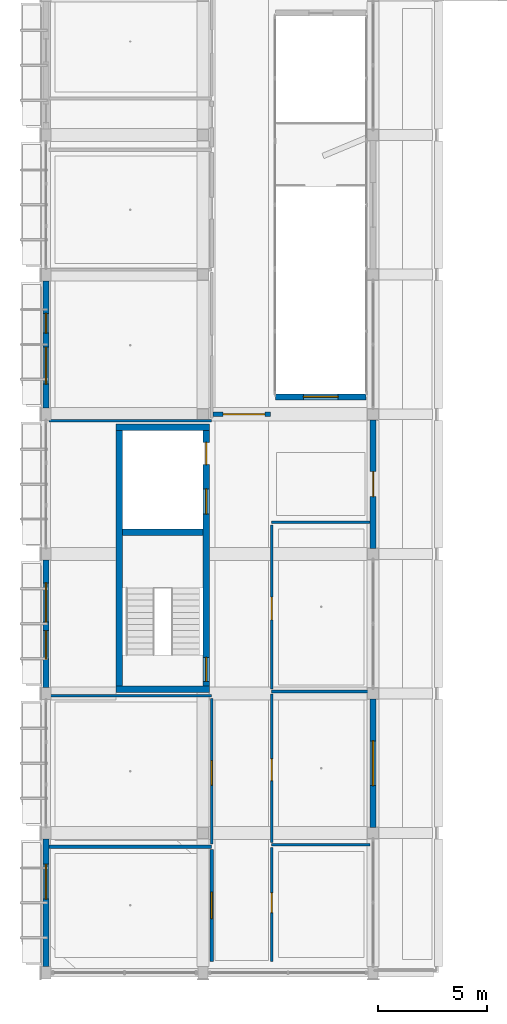
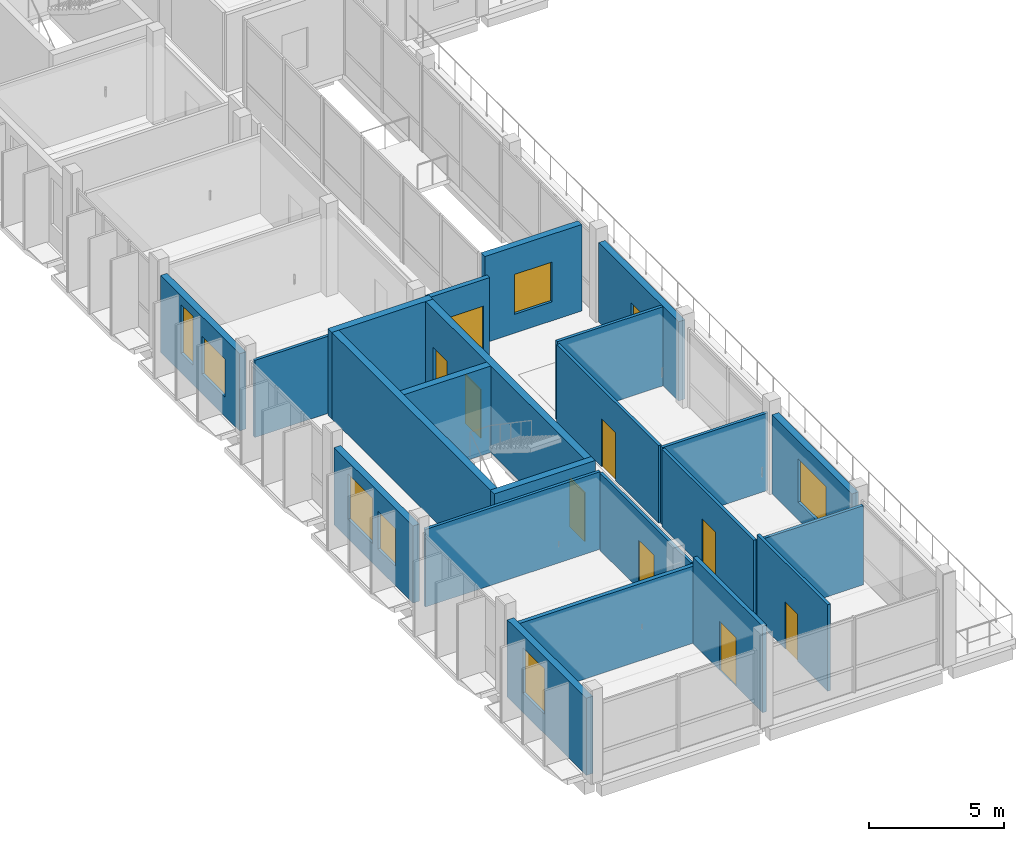
# One storey, part 47 of 85: 23 walls, 10 doors, 7 windows, 17 openings.
"""IFC4 building model written with IfcOpenShell, lengths in metres."""

from ifc_helpers import new_model, si_unit, derived_unit, direction, frame, frame_2d, origin, origin_with_axes, place, context, subcontext, project, spatial, rectangle, extrude, material, layer, layer_set, type_object, element, fill, save


model = new_model("IFC4")

# Units and contexts
model_context = context("Model", 3, precision=1e-05, world=origin(), true_north=direction((0.0, 1.0)))
body_context = subcontext(model_context, "Body", "Model", "MODEL_VIEW")
ifc_project = project(units=[si_unit("LENGTHUNIT", "METRE"), si_unit("AREAUNIT", "SQUARE_METRE"), si_unit("VOLUMEUNIT", "CUBIC_METRE"), si_unit("PLANEANGLEUNIT", "RADIAN"), si_unit("MASSUNIT", "GRAM", prefix="KILO"), derived_unit("THERMALTRANSMITTANCEUNIT", [(si_unit("POWERUNIT", "WATT"), 1), (si_unit("LENGTHUNIT", "METRE"), -2), (si_unit("THERMODYNAMICTEMPERATUREUNIT", "KELVIN"), -1)])], contexts=[model_context])

# Site, building, storey
site_placement = place(None, origin())
site = spatial("IfcSite", under=ifc_project, at=site_placement, CompositionType="ELEMENT")
building_placement = place(site_placement, origin())
building = spatial("IfcBuilding", under=site, at=building_placement, Name="Braskholm Square Health Centre", CompositionType="ELEMENT")
storey_placement = place(building_placement, frame((0.0, 0.0, 9.300048828125)))
storey = spatial("IfcBuildingStorey", under=building, at=storey_placement, Name="L03", CompositionType="ELEMENT", Elevation=9.300048828125)

# Wall, opening, door
ifc_material_1 = material(Name="Fire-rated gypsum board barrier")
ifc_layer_1 = layer(ifc_material_1, 0.175048828125)
ifc_layer_set_1 = layer_set([ifc_layer_1], Name="Fire-rated gypsum board barrier")
wall_type_1 = type_object("IfcWallType", Name="AmbulatoryFirePartition175", PredefinedType="PARTITIONING", material=ifc_layer_set_1)
wall_1_placement = place(storey_placement, frame((11.800048828125, 4.719970703125, 0.0), z_axis=(0.0, 0.0, 1.0), x_axis=(0.0, 1.0, 0.0)))
wall_1 = element("IfcWall", 1, at=wall_1_placement, inside=storey, type_object=wall_type_1, Name="Interior partition PWALL-L03-0111", PredefinedType="PARTITIONING", context=body_context, shape_type="SweptSolid", body=[
    extrude(rectangle(XDim=5.130126953125, YDim=0.175048828125, at=frame_2d((2.56494140625, 0.0))), origin(), (0.0, 0.0, 1.0), 3.89501953125),
])
opening_1_placement = place(wall_1_placement, frame((1.955078125, 0.0, 0.0)))
opening_1 = element("IfcOpeningElement", 2, at=opening_1_placement, cuts=wall_1, Name="Opening D-04", PredefinedType="OPENING", context=body_context, shape_type="SweptSolid", body=[
    extrude(rectangle(XDim=1.219970703125, YDim=2.199951171875, at=frame_2d((0.60986328125, 1.10009765625))), frame((0.0, 0.09765625, 0.0), z_axis=(0.0, -1.0, 0.0), x_axis=(1.0, 0.0, 0.0)), (0.0, 0.0, 1.0), 0.195068359375),
])
ifc_material_2 = material(Name="Architectural bronze anodised aluminium", Category="aluminium")
door_type_1 = type_object("IfcDoorType", Name="DoorBariatricExam1220x2200", OperationType="NOTDEFINED", PredefinedType="DOOR", material=ifc_material_2)
door_1_placement = place(opening_1_placement, origin_with_axes())
door_1 = element("IfcDoor", 3, at=door_1_placement, inside=storey, type_object=door_type_1, Name="Interior door 0051 L03", OperationType="SINGLE_SWING_RIGHT", OverallHeight=2.199951171875, OverallWidth=1.219970703125, PredefinedType="DOOR", context=body_context, shape_type="SweptSolid", body=[
    extrude(rectangle(XDim=1.219970703125, YDim=2.199951171875, at=frame_2d((0.60986328125, 1.10009765625))), frame((0.0, 0.02490234375, 0.0), z_axis=(0.0, -1.0, 0.0), x_axis=(1.0, 0.0, 0.0)), (0.0, 0.0, 1.0), 0.050048828125),
])
fill(opening_1, door_1)

# Wall
wall_2_placement = place(storey_placement, frame((4.340087890625, 9.969970703125, 0.0), z_axis=(0.0, 0.0, 1.0), x_axis=(1.0, 0.0, 0.0)))
element("IfcWall", 4, at=wall_2_placement, inside=storey, type_object=wall_type_1, Name="Interior partition PWALL-L03-0112", PredefinedType="PARTITIONING", context=body_context, shape_type="SweptSolid", body=[
    extrude(rectangle(XDim=7.4599609375, YDim=0.175048828125, at=frame_2d((3.72998046875, 0.0))), origin(), (0.0, 0.0, 1.0), 3.474853515625),
])

# Wall, opening, door
ifc_material_3 = material(Name="Acoustic gypsum board partition")
ifc_layer_2 = layer(ifc_material_3, 0.125)
ifc_layer_set_2 = layer_set([ifc_layer_2], Name="Acoustic gypsum board partition")
wall_type_2 = type_object("IfcWallType", Name="ClinicalExamPartition125", PredefinedType="PARTITIONING", material=ifc_layer_set_2)
wall_3_placement = place(storey_placement, frame((11.800048828125, 10.090087890625, 0.0), z_axis=(0.0, 0.0, 1.0), x_axis=(0.0, 1.0, 0.0)))
wall_3 = element("IfcWall", 5, at=wall_3_placement, inside=storey, type_object=wall_type_2, Name="Interior partition PWALL-L03-0113", PredefinedType="PARTITIONING", context=body_context, shape_type="SweptSolid", body=[
    extrude(rectangle(XDim=6.68994140625, YDim=0.125, at=frame_2d((3.344970703125, 0.0))), origin(), (0.0, 0.0, 1.0), 3.494873046875),
])
opening_2_placement = place(wall_3_placement, frame((2.7080078125, 0.0, 0.0)))
opening_2 = element("IfcOpeningElement", 6, at=opening_2_placement, cuts=wall_3, Name="Opening D-03", PredefinedType="OPENING", context=body_context, shape_type="SweptSolid", body=[
    extrude(rectangle(XDim=1.1201171875, YDim=2.199951171875, at=frame_2d((0.56005859375, 1.10009765625))), frame((0.0, 0.072509765625, 0.0), z_axis=(0.0, -1.0, 0.0), x_axis=(1.0, 0.0, 0.0)), (0.0, 0.0, 1.0), 0.14501953125),
])
door_type_2 = type_object("IfcDoorType", Name="DoorProcedure1120x2200", OperationType="NOTDEFINED", PredefinedType="DOOR", material=ifc_material_2)
door_2_placement = place(opening_2_placement, origin_with_axes())
door_2 = element("IfcDoor", 7, at=door_2_placement, inside=storey, type_object=door_type_2, Name="Interior door 0052 L03", OperationType="SINGLE_SWING_LEFT", OverallHeight=2.199951171875, OverallWidth=1.1201171875, PredefinedType="DOOR", context=body_context, shape_type="SweptSolid", body=[
    extrude(rectangle(XDim=1.1201171875, YDim=2.199951171875, at=frame_2d((0.56005859375, 1.10009765625))), frame((0.0, 0.02490234375, 0.0), z_axis=(0.0, -1.0, 0.0), x_axis=(1.0, 0.0, 0.0)), (0.0, 0.0, 1.0), 0.050048828125),
])
fill(opening_2, door_2)

# Walls
wall_4_placement = place(storey_placement, frame((4.340087890625, 16.89990234375, 0.0), z_axis=(0.0, 0.0, 1.0), x_axis=(1.0, 0.0, 0.0)))
element("IfcWall", 8, at=wall_4_placement, inside=storey, type_object=wall_type_2, Name="Interior partition PWALL-L03-0114", PredefinedType="PARTITIONING", context=body_context, shape_type="SweptSolid", body=[
    extrude(rectangle(XDim=7.4599609375, YDim=0.125, at=frame_2d((3.72998046875, 0.0))), origin(), (0.0, 0.0, 1.0), 3.494873046875),
])
wall_5_placement = place(storey_placement, frame((4.340087890625, 29.5, 0.0), z_axis=(0.0, 0.0, 1.0), x_axis=(1.0, 0.0, 0.0)))
element("IfcWall", 9, at=wall_5_placement, inside=storey, type_object=wall_type_2, Name="Interior partition PWALL-L03-0117", PredefinedType="PARTITIONING", context=body_context, shape_type="SweptSolid", body=[
    extrude(rectangle(XDim=7.4599609375, YDim=0.125, at=frame_2d((3.72998046875, 0.0))), origin(), (0.0, 0.0, 1.0), 3.474853515625),
])

# Wall, opening, door
wall_6_placement = place(storey_placement, frame((14.550048828125, 4.719970703125, 0.0), z_axis=(0.0, 0.0, 1.0), x_axis=(0.0, 1.0, 0.0)))
wall_6 = element("IfcWall", 10, at=wall_6_placement, inside=storey, type_object=wall_type_2, Name="Interior partition PWALL-L03-0142", PredefinedType="PARTITIONING", context=body_context, shape_type="SweptSolid", body=[
    extrude(rectangle(XDim=5.219970703125, YDim=0.125, at=frame_2d((2.60986328125, 0.0))), origin(), (0.0, 0.0, 1.0), 3.89501953125),
])
opening_3_placement = place(wall_6_placement, frame((2.236083984375, 0.0, 0.0)))
opening_3 = element("IfcOpeningElement", 11, at=opening_3_placement, cuts=wall_6, Name="Opening D-07", PredefinedType="OPENING", context=body_context, shape_type="SweptSolid", body=[
    extrude(rectangle(XDim=0.89990234375, YDim=2.1201171875, at=frame_2d((0.449951171875, 1.06005859375))), frame((0.0, 0.072509765625, 0.0), z_axis=(0.0, -1.0, 0.0), x_axis=(1.0, 0.0, 0.0)), (0.0, 0.0, 1.0), 0.14501953125),
])
door_type_3 = type_object("IfcDoorType", Name="DoorProviderOffice900x2120", OperationType="NOTDEFINED", PredefinedType="DOOR", material=ifc_material_2)
door_3_placement = place(opening_3_placement, frame((0.89990234375, 0.0, 0.0), z_axis=(0.0, 0.0, 1.0), x_axis=(-1.0, 0.0, 0.0)))
door_3 = element("IfcDoor", 12, at=door_3_placement, inside=storey, type_object=door_type_3, Name="Interior door 0066 L03", OperationType="SINGLE_SWING_LEFT", OverallHeight=2.1201171875, OverallWidth=0.89990234375, PredefinedType="DOOR", context=body_context, shape_type="SweptSolid", body=[
    extrude(rectangle(XDim=0.89990234375, YDim=2.1201171875, at=frame_2d((0.449951171875, 1.06005859375))), frame((0.0, 0.02490234375, 0.0), z_axis=(0.0, -1.0, 0.0), x_axis=(1.0, 0.0, 0.0)), (0.0, 0.0, 1.0), 0.050048828125),
])
fill(opening_3, door_3)

# Wall
wall_7_placement = place(storey_placement, frame((14.550048828125, 10.06005859375, 0.0), z_axis=(0.0, 0.0, 1.0), x_axis=(1.0, 0.0, 0.0)))
element("IfcWall", 13, at=wall_7_placement, inside=storey, type_object=wall_type_2, Name="Interior partition PWALL-L03-0143", PredefinedType="PARTITIONING", context=body_context, shape_type="SweptSolid", body=[
    extrude(rectangle(XDim=4.510009765625, YDim=0.125, at=frame_2d((2.2548828125, 0.0))), origin(), (0.0, 0.0, 1.0), 3.56494140625),
])

# Wall, opening, door
wall_8_placement = place(storey_placement, frame((14.550048828125, 10.179931640625, 0.0), z_axis=(0.0, 0.0, 1.0), x_axis=(0.0, 1.0, 0.0)))
wall_8 = element("IfcWall", 14, at=wall_8_placement, inside=storey, type_object=wall_type_2, Name="Interior partition PWALL-L03-0144", PredefinedType="PARTITIONING", context=body_context, shape_type="SweptSolid", body=[
    extrude(rectangle(XDim=6.7900390625, YDim=0.125, at=frame_2d((3.39501953125, 0.0))), origin(), (0.0, 0.0, 1.0), 3.494873046875),
])
opening_4_placement = place(wall_8_placement, frame((2.820068359375, 0.0, 0.0)))
opening_4 = element("IfcOpeningElement", 15, at=opening_4_placement, cuts=wall_8, Name="Opening D-02", PredefinedType="OPENING", context=body_context, shape_type="SweptSolid", body=[
    extrude(rectangle(XDim=1.0, YDim=2.14990234375, at=frame_2d((0.5, 1.074951171875))), frame((0.0, 0.072509765625, 0.0), z_axis=(0.0, -1.0, 0.0), x_axis=(1.0, 0.0, 0.0)), (0.0, 0.0, 1.0), 0.14501953125),
])
door_type_4 = type_object("IfcDoorType", Name="DoorExamSingle1000x2150", OperationType="NOTDEFINED", PredefinedType="DOOR", material=ifc_material_2)
door_4_placement = place(opening_4_placement, frame((1.0, 0.0, 0.0), z_axis=(0.0, 0.0, 1.0), x_axis=(-1.0, 0.0, 0.0)))
door_4 = element("IfcDoor", 16, at=door_4_placement, inside=storey, type_object=door_type_4, Name="Interior door 0067 L03", OperationType="SINGLE_SWING_RIGHT", OverallHeight=2.14990234375, OverallWidth=1.0, PredefinedType="DOOR", context=body_context, shape_type="SweptSolid", body=[
    extrude(rectangle(XDim=1.0, YDim=2.14990234375, at=frame_2d((0.5, 1.074951171875))), frame((0.0, 0.02490234375, 0.0), z_axis=(0.0, -1.0, 0.0), x_axis=(1.0, 0.0, 0.0)), (0.0, 0.0, 1.0), 0.050048828125),
])
fill(opening_4, door_4)

# Wall
wall_9_placement = place(storey_placement, frame((14.550048828125, 17.090087890625, 0.0), z_axis=(0.0, 0.0, 1.0), x_axis=(1.0, 0.0, 0.0)))
element("IfcWall", 17, at=wall_9_placement, inside=storey, type_object=wall_type_2, Name="Interior partition PWALL-L03-0145", PredefinedType="PARTITIONING", context=body_context, shape_type="SweptSolid", body=[
    extrude(rectangle(XDim=4.510009765625, YDim=0.125, at=frame_2d((2.2548828125, 0.0))), origin(), (0.0, 0.0, 1.0), 3.494873046875),
])

# Wall, opening, door
wall_10_placement = place(storey_placement, frame((14.550048828125, 17.2099609375, 0.0), z_axis=(0.0, 0.0, 1.0), x_axis=(0.0, 1.0, 0.0)))
wall_10 = element("IfcWall", 18, at=wall_10_placement, inside=storey, type_object=wall_type_2, Name="Interior partition PWALL-L03-0146", PredefinedType="PARTITIONING", context=body_context, shape_type="SweptSolid", body=[
    extrude(rectangle(XDim=7.52001953125, YDim=0.125, at=frame_2d((3.760009765625, 0.0))), origin(), (0.0, 0.0, 1.0), 3.494873046875),
])
opening_5_placement = place(wall_10_placement, frame((3.1640625, 0.0, 0.0)))
opening_5 = element("IfcOpeningElement", 19, at=opening_5_placement, cuts=wall_10, Name="Opening D-09", PredefinedType="OPENING", context=body_context, shape_type="SweptSolid", body=[
    extrude(rectangle(XDim=1.0400390625, YDim=2.14990234375, at=frame_2d((0.52001953125, 1.074951171875))), frame((0.0, 0.072509765625, 0.0), z_axis=(0.0, -1.0, 0.0), x_axis=(1.0, 0.0, 0.0)), (0.0, 0.0, 1.0), 0.14501953125),
])
door_type_5 = type_object("IfcDoorType", Name="DoorDentalOperatory1040x2150", OperationType="NOTDEFINED", PredefinedType="DOOR", material=ifc_material_2)
door_5_placement = place(opening_5_placement, frame((1.0400390625, 0.0, 0.0), z_axis=(0.0, 0.0, 1.0), x_axis=(-1.0, 0.0, 0.0)))
door_5 = element("IfcDoor", 20, at=door_5_placement, inside=storey, type_object=door_type_5, Name="Interior door 0068 L03", OperationType="SINGLE_SWING_LEFT", OverallHeight=2.14990234375, OverallWidth=1.0400390625, PredefinedType="DOOR", context=body_context, shape_type="SweptSolid", body=[
    extrude(rectangle(XDim=1.0400390625, YDim=2.14990234375, at=frame_2d((0.52001953125, 1.074951171875))), frame((0.0, 0.02490234375, 0.0), z_axis=(0.0, -1.0, 0.0), x_axis=(1.0, 0.0, 0.0)), (0.0, 0.0, 1.0), 0.050048828125),
])
fill(opening_5, door_5)

# Wall
wall_11_placement = place(storey_placement, frame((14.550048828125, 24.85009765625, 0.0), z_axis=(0.0, 0.0, 1.0), x_axis=(1.0, 0.0, 0.0)))
element("IfcWall", 21, at=wall_11_placement, inside=storey, type_object=wall_type_2, Name="Interior partition PWALL-L03-0147", PredefinedType="PARTITIONING", context=body_context, shape_type="SweptSolid", body=[
    extrude(rectangle(XDim=4.510009765625, YDim=0.125, at=frame_2d((2.2548828125, 0.0))), origin(), (0.0, 0.0, 1.0), 3.56494140625),
])

# Wall, opening, window
ifc_material_4 = material(Name="Precast concrete C40/50 architectural white", Category="concrete")
ifc_layer_3 = layer(ifc_material_4, 0.280029296875)
ifc_layer_set_3 = layer_set([ifc_layer_3], Name="Precast concrete C40/50 architectural white")
wall_type_3 = type_object("IfcWallType", Name="ExteriorPrecastSpandrelWall280", PredefinedType="SOLIDWALL", material=ifc_layer_set_3)
wall_12_placement = place(storey_placement, frame((4.199951171875, 10.318115234375, 0.0), z_axis=(0.0, 0.0, 1.0), x_axis=(0.0, -1.0, 0.0)))
wall_12 = element("IfcWall", 22, at=wall_12_placement, inside=storey, type_object=wall_type_3, Name="Exterior wall EWALL-L03-0020", PredefinedType="SOLIDWALL", context=body_context, shape_type="SweptSolid", body=[
    extrude(rectangle(XDim=5.836181640625, YDim=0.280029296875, at=frame_2d((2.91796875, 0.0))), origin(), (0.0, 0.0, 1.0), 3.47998046875),
])
opening_6_placement = place(wall_12_placement, frame((1.14501953125, 0.0, 0.8798828125)))
opening_6 = element("IfcOpeningElement", 23, at=opening_6_placement, cuts=wall_12, Name="Opening WN-15", PredefinedType="OPENING", context=body_context, shape_type="SweptSolid", body=[
    extrude(rectangle(XDim=1.60009765625, YDim=2.050048828125, at=frame_2d((0.800048828125, 1.02490234375))), frame((0.0, 0.14990234375, 0.0), z_axis=(0.0, -1.0, 0.0), x_axis=(1.0, 0.0, 0.0)), (0.0, 0.0, 1.0), 0.300048828125),
])
ifc_material_5 = material(Name="Low-E triple insulating glass (VLT 0.64)", Category="glass")
window_type_1 = type_object("IfcWindowType", Name="WinClinicalTall1600x2050", PartitioningType="SINGLE_PANEL", PredefinedType="WINDOW", material=ifc_material_5)
window_1_placement = place(opening_6_placement, origin_with_axes())
window_1 = element("IfcWindow", 24, at=window_1_placement, inside=storey, type_object=window_type_1, Name="Exterior window 0036 L03", OverallHeight=2.050048828125, OverallWidth=1.60009765625, PartitioningType="SINGLE_PANEL", PredefinedType="WINDOW", context=body_context, shape_type="SweptSolid", body=[
    extrude(rectangle(XDim=1.60009765625, YDim=2.050048828125, at=frame_2d((0.800048828125, 1.02490234375))), frame((0.0, 0.030029296875, 0.0), z_axis=(0.0, -1.0, 0.0), x_axis=(1.0, 0.0, 0.0)), (0.0, 0.0, 1.0), 0.06005859375),
])
fill(opening_6, window_1)

# Wall, openings, windows
wall_13_placement = place(storey_placement, frame((4.199951171875, 23.117919921875, 0.0), z_axis=(0.0, 0.0, 1.0), x_axis=(0.0, -1.0, 0.0)))
wall_13 = element("IfcWall", 25, at=wall_13_placement, inside=storey, type_object=wall_type_3, Name="Exterior wall EWALL-L03-0021", PredefinedType="SOLIDWALL", context=body_context, shape_type="SweptSolid", body=[
    extrude(rectangle(XDim=5.8359375, YDim=0.280029296875, at=frame_2d((2.91796875, 0.0))), origin(), (0.0, 0.0, 1.0), 3.47998046875),
])
opening_7_placement = place(wall_13_placement, frame((1.044921875, 0.0, 0.8798828125)))
opening_7 = element("IfcOpeningElement", 26, at=opening_7_placement, cuts=wall_13, Name="Opening WN-16", PredefinedType="OPENING", context=body_context, shape_type="SweptSolid", body=[
    extrude(rectangle(XDim=1.800048828125, YDim=2.050048828125, at=frame_2d((0.89990234375, 1.02490234375))), frame((0.0, 0.14990234375, 0.0), z_axis=(0.0, -1.0, 0.0), x_axis=(1.0, 0.0, 0.0)), (0.0, 0.0, 1.0), 0.300048828125),
])
opening_8_placement = place(wall_13_placement, frame((3.240966796875, 0.0, 0.8798828125)))
opening_8 = element("IfcOpeningElement", 27, at=opening_8_placement, cuts=wall_13, Name="Opening WN-17", PredefinedType="OPENING", context=body_context, shape_type="SweptSolid", body=[
    extrude(rectangle(XDim=1.300048828125, YDim=1.699951171875, at=frame_2d((0.64990234375, 0.85009765625))), frame((0.0, 0.14990234375, 0.0), z_axis=(0.0, -1.0, 0.0), x_axis=(1.0, 0.0, 0.0)), (0.0, 0.0, 1.0), 0.300048828125),
])
window_type_2 = type_object("IfcWindowType", Name="WinClinicalTall1800x2050", PartitioningType="SINGLE_PANEL", PredefinedType="WINDOW", material=ifc_material_5)
window_2_placement = place(opening_7_placement, origin_with_axes())
window_2 = element("IfcWindow", 28, at=window_2_placement, inside=storey, type_object=window_type_2, Name="Exterior window 0037 L03", OverallHeight=2.050048828125, OverallWidth=1.800048828125, PartitioningType="SINGLE_PANEL", PredefinedType="WINDOW", context=body_context, shape_type="SweptSolid", body=[
    extrude(rectangle(XDim=1.800048828125, YDim=2.050048828125, at=frame_2d((0.89990234375, 1.02490234375))), frame((0.0, 0.030029296875, 0.0), z_axis=(0.0, -1.0, 0.0), x_axis=(1.0, 0.0, 0.0)), (0.0, 0.0, 1.0), 0.06005859375),
])
fill(opening_7, window_2)
window_type_3 = type_object("IfcWindowType", Name="WinDentalDaylight1300x1700", PartitioningType="SINGLE_PANEL", PredefinedType="WINDOW", material=ifc_material_5)
window_3_placement = place(opening_8_placement, origin_with_axes())
window_3 = element("IfcWindow", 29, at=window_3_placement, inside=storey, type_object=window_type_3, Name="Exterior window 0038 L03", OverallHeight=1.699951171875, OverallWidth=1.300048828125, PartitioningType="SINGLE_PANEL", PredefinedType="WINDOW", context=body_context, shape_type="SweptSolid", body=[
    extrude(rectangle(XDim=1.300048828125, YDim=1.699951171875, at=frame_2d((0.64990234375, 0.85009765625))), frame((0.0, 0.030029296875, 0.0), z_axis=(0.0, -1.0, 0.0), x_axis=(1.0, 0.0, 0.0)), (0.0, 0.0, 1.0), 0.06005859375),
])
fill(opening_8, window_3)

wall_14_placement = place(storey_placement, frame((4.199951171875, 35.91796875, 0.0), z_axis=(0.0, 0.0, 1.0), x_axis=(0.0, -1.0, 0.0)))
wall_14 = element("IfcWall", 30, at=wall_14_placement, inside=storey, type_object=wall_type_3, Name="Exterior wall EWALL-L03-0022", PredefinedType="SOLIDWALL", context=body_context, shape_type="SweptSolid", body=[
    extrude(rectangle(XDim=5.8359375, YDim=0.280029296875, at=frame_2d((2.91796875, 0.0))), origin(), (0.0, 0.0, 1.0), 3.47998046875),
])
opening_9_placement = place(wall_14_placement, frame((1.4951171875, 0.0, 0.8798828125)))
opening_9 = element("IfcOpeningElement", 31, at=opening_9_placement, cuts=wall_14, Name="Opening WN-01", PredefinedType="OPENING", context=body_context, shape_type="SweptSolid", body=[
    extrude(rectangle(XDim=0.89990234375, YDim=2.199951171875, at=frame_2d((0.449951171875, 1.10009765625))), frame((0.0, 0.14990234375, 0.0), z_axis=(0.0, -1.0, 0.0), x_axis=(1.0, 0.0, 0.0)), (0.0, 0.0, 1.0), 0.300048828125),
])
opening_10_placement = place(wall_14_placement, frame((3.041015625, 0.0, 0.8798828125)))
opening_10 = element("IfcOpeningElement", 32, at=opening_10_placement, cuts=wall_14, Name="Opening WN-18", PredefinedType="OPENING", context=body_context, shape_type="SweptSolid", body=[
    extrude(rectangle(XDim=1.699951171875, YDim=1.699951171875, at=frame_2d((0.85009765625, 0.85009765625))), frame((0.0, 0.14990234375, 0.0), z_axis=(0.0, -1.0, 0.0), x_axis=(1.0, 0.0, 0.0)), (0.0, 0.0, 1.0), 0.300048828125),
])
window_type_4 = type_object("IfcWindowType", Name="WinArtDecoLancet900x2200", PartitioningType="SINGLE_PANEL", PredefinedType="WINDOW", material=ifc_material_5)
window_4_placement = place(opening_9_placement, origin_with_axes())
window_4 = element("IfcWindow", 33, at=window_4_placement, inside=storey, type_object=window_type_4, Name="Exterior window 0039 L03", OverallHeight=2.199951171875, OverallWidth=0.89990234375, PartitioningType="SINGLE_PANEL", PredefinedType="WINDOW", context=body_context, shape_type="SweptSolid", body=[
    extrude(rectangle(XDim=0.89990234375, YDim=2.199951171875, at=frame_2d((0.449951171875, 1.10009765625))), frame((0.0, 0.030029296875, 0.0), z_axis=(0.0, -1.0, 0.0), x_axis=(1.0, 0.0, 0.0)), (0.0, 0.0, 1.0), 0.06005859375),
])
fill(opening_9, window_4)
window_type_5 = type_object("IfcWindowType", Name="WinDentalDaylight1700x1700", PartitioningType="SINGLE_PANEL", PredefinedType="WINDOW", material=ifc_material_5)
window_5_placement = place(opening_10_placement, origin_with_axes())
window_5 = element("IfcWindow", 34, at=window_5_placement, inside=storey, type_object=window_type_5, Name="Exterior window 0040 L03", OverallHeight=1.699951171875, OverallWidth=1.699951171875, PartitioningType="SINGLE_PANEL", PredefinedType="WINDOW", context=body_context, shape_type="SweptSolid", body=[
    extrude(rectangle(XDim=1.699951171875, YDim=1.699951171875, at=frame_2d((0.85009765625, 0.85009765625))), frame((0.0, 0.030029296875, 0.0), z_axis=(0.0, -1.0, 0.0), x_axis=(1.0, 0.0, 0.0)), (0.0, 0.0, 1.0), 0.06005859375),
])
fill(opening_10, window_5)

# Wall, opening, window
wall_15_placement = place(storey_placement, frame((19.199951171875, 10.85205078125, 0.0), z_axis=(0.0, 0.0, 1.0), x_axis=(0.0, 1.0, 0.0)))
wall_15 = element("IfcWall", 35, at=wall_15_placement, inside=storey, type_object=wall_type_3, Name="Exterior wall EWALL-L03-0119", PredefinedType="SOLIDWALL", context=body_context, shape_type="SweptSolid", body=[
    extrude(rectangle(XDim=5.89599609375, YDim=0.280029296875, at=frame_2d((2.947998046875, 0.0))), origin(), (0.0, 0.0, 1.0), 3.570068359375),
])
opening_11_placement = place(wall_15_placement, frame((1.923095703125, 0.0, 0.800048828125)))
opening_11 = element("IfcOpeningElement", 36, at=opening_11_placement, cuts=wall_15, Name="Opening WN-25", PredefinedType="OPENING", context=body_context, shape_type="SweptSolid", body=[
    extrude(rectangle(XDim=2.050048828125, YDim=1.949951171875, at=frame_2d((1.02490234375, 0.97509765625))), frame((0.0, 0.14990234375, 0.0), z_axis=(0.0, -1.0, 0.0), x_axis=(1.0, 0.0, 0.0)), (0.0, 0.0, 1.0), 0.300048828125),
])
window_type_6 = type_object("IfcWindowType", Name="WinValleyTerrace2050x1950", PartitioningType="SINGLE_PANEL", PredefinedType="WINDOW", material=ifc_material_5)
window_6_placement = place(opening_11_placement, origin_with_axes())
window_6 = element("IfcWindow", 37, at=window_6_placement, inside=storey, type_object=window_type_6, Name="Exterior window 0186 L03", OverallHeight=1.949951171875, OverallWidth=2.050048828125, PartitioningType="SINGLE_PANEL", PredefinedType="WINDOW", context=body_context, shape_type="SweptSolid", body=[
    extrude(rectangle(XDim=2.050048828125, YDim=1.949951171875, at=frame_2d((1.02490234375, 0.97509765625))), frame((0.0, 0.030029296875, 0.0), z_axis=(0.0, -1.0, 0.0), x_axis=(1.0, 0.0, 0.0)), (0.0, 0.0, 1.0), 0.06005859375),
])
fill(opening_11, window_6)

# Wall, opening, door
wall_16_placement = place(storey_placement, frame((19.199951171875, 23.652099609375, 0.0), z_axis=(0.0, 0.0, 1.0), x_axis=(0.0, 1.0, 0.0)))
wall_16 = element("IfcWall", 38, at=wall_16_placement, inside=storey, type_object=wall_type_3, Name="Exterior wall EWALL-L03-0120", PredefinedType="SOLIDWALL", context=body_context, shape_type="SweptSolid", body=[
    extrude(rectangle(XDim=5.89599609375, YDim=0.280029296875, at=frame_2d((2.947998046875, 0.0))), origin(), (0.0, 0.0, 1.0), 3.570068359375),
])
opening_12_placement = place(wall_16_placement, frame((2.3779296875, 0.0, 0.0)))
opening_12 = element("IfcOpeningElement", 39, at=opening_12_placement, cuts=wall_16, Name="Opening D-T1", PredefinedType="OPENING", context=body_context, shape_type="SweptSolid", body=[
    extrude(rectangle(XDim=1.139892578125, YDim=2.300048828125, at=frame_2d((0.56982421875, 1.14990234375))), frame((0.0, 0.14990234375, 0.0), z_axis=(0.0, -1.0, 0.0), x_axis=(1.0, 0.0, 0.0)), (0.0, 0.0, 1.0), 0.300048828125),
])
door_type_6 = type_object("IfcDoorType", Name="DoorPlantedTerrace1140x2300", OperationType="NOTDEFINED", PredefinedType="DOOR", material=ifc_material_5)
door_6_placement = place(opening_12_placement, frame((1.139892578125, 0.0, 0.0), z_axis=(0.0, 0.0, 1.0), x_axis=(-1.0, 0.0, 0.0)))
door_6 = element("IfcDoor", 40, at=door_6_placement, inside=storey, type_object=door_type_6, Name="Exterior door 0014 L03", OperationType="SINGLE_SWING_LEFT", OverallHeight=2.300048828125, OverallWidth=1.139892578125, PredefinedType="DOOR", context=body_context, shape_type="SweptSolid", body=[
    extrude(rectangle(XDim=1.139892578125, YDim=2.300048828125, at=frame_2d((0.56982421875, 1.14990234375))), frame((0.0, 0.02490234375, 0.0), z_axis=(0.0, -1.0, 0.0), x_axis=(1.0, 0.0, 0.0)), (0.0, 0.0, 1.0), 0.050048828125),
])
fill(opening_12, door_6)

# Wall, opening, window
wall_17_placement = place(storey_placement, frame((18.865966796875, 30.60009765625, 0.0), z_axis=(0.0, 0.0, 1.0), x_axis=(-1.0, 0.0, 0.0)))
wall_17 = element("IfcWall", 41, at=wall_17_placement, inside=storey, type_object=wall_type_3, Name="Exterior wall EWALL-L03-0287", PredefinedType="SOLIDWALL", context=body_context, shape_type="SweptSolid", body=[
    extrude(rectangle(XDim=4.132080078125, YDim=0.280029296875, at=frame_2d((2.06591796875, 0.0))), origin(), (0.0, 0.0, 1.0), 3.89990234375),
])
opening_13_placement = place(wall_17_placement, frame((1.26611328125, 0.0, 0.85009765625)))
opening_13 = element("IfcOpeningElement", 42, at=opening_13_placement, cuts=wall_17, Name="Opening WN-27", PredefinedType="OPENING", context=body_context, shape_type="SweptSolid", body=[
    extrude(rectangle(XDim=1.60009765625, YDim=1.800048828125, at=frame_2d((0.800048828125, 0.89990234375))), frame((0.0, 0.14990234375, 0.0), z_axis=(0.0, -1.0, 0.0), x_axis=(1.0, 0.0, 0.0)), (0.0, 0.0, 1.0), 0.300048828125),
])
window_type_7 = type_object("IfcWindowType", Name="WinLightCourt1600x1800", PartitioningType="SINGLE_PANEL", PredefinedType="WINDOW", material=ifc_material_5)
window_7_placement = place(opening_13_placement, origin_with_axes())
window_7 = element("IfcWindow", 43, at=window_7_placement, inside=storey, type_object=window_type_7, Name="Exterior window 0333 L03", OverallHeight=1.800048828125, OverallWidth=1.60009765625, PartitioningType="SINGLE_PANEL", PredefinedType="WINDOW", context=body_context, shape_type="SweptSolid", body=[
    extrude(rectangle(XDim=1.60009765625, YDim=1.800048828125, at=frame_2d((0.800048828125, 0.89990234375))), frame((0.0, 0.030029296875, 0.0), z_axis=(0.0, -1.0, 0.0), x_axis=(1.0, 0.0, 0.0)), (0.0, 0.0, 1.0), 0.06005859375),
])
fill(opening_13, window_7)

# Walls
ifc_material_6 = material(Name="Concrete C40/50 (f'c = 40 MPa)", Category="concrete")
ifc_layer_4 = layer(ifc_material_6, 0.300048828125)
ifc_layer_set_4 = layer_set([ifc_layer_4], Name="Concrete C40/50 (f'c = 40 MPa)")
wall_type_4 = type_object("IfcWallType", Name="ShearCoreWall300", PredefinedType="SHEAR", material=ifc_layer_set_4)
for number, where, z_axis, x_axis, name in (
    (44, (7.39990234375, 17.199951171875, 0.0), (0.0, 0.0, 1.0), (1.0, 0.0, 0.0), "CWALL-K1-L03 south wall"),
    (45, (11.699951171875, 29.199951171875, 0.0), (0.0, 0.0, 1.0), (-1.0, 0.0, 0.0), "CWALL-K1-L03 north wall"),
):
    element("IfcWall", number, at=place(storey_placement, frame(where, z_axis=z_axis, x_axis=x_axis)), inside=storey, type_object=wall_type_4, Name=name, PredefinedType="SHEAR", context=body_context, shape_type="SweptSolid", body=[
        extrude(rectangle(XDim=4.300048828125, YDim=0.300048828125, at=frame_2d((2.14990234375, 0.0))), origin(), (0.0, 0.0, 1.0), 3.89990234375),
    ])
wall_18_placement = place(storey_placement, frame((7.550048828125, 29.050048828125, 0.0), z_axis=(0.0, 0.0, 1.0), x_axis=(0.0, -1.0, 0.0)))
element("IfcWall", 46, at=wall_18_placement, inside=storey, type_object=wall_type_4, Name="CWALL-K1-L03 west wall", PredefinedType="SHEAR", context=body_context, shape_type="SweptSolid", body=[
    extrude(rectangle(XDim=11.699951171875, YDim=0.300048828125, at=frame_2d((5.85009765625, 0.0))), origin(), (0.0, 0.0, 1.0), 3.89990234375),
])

# Wall, openings, doors
wall_19_placement = place(storey_placement, frame((11.550048828125, 17.35009765625, 0.0), z_axis=(0.0, 0.0, 1.0), x_axis=(0.0, 1.0, 0.0)))
wall_19 = element("IfcWall", 47, at=wall_19_placement, inside=storey, type_object=wall_type_4, Name="CWALL-K1-L03 east wall", PredefinedType="SHEAR", context=body_context, shape_type="SweptSolid", body=[
    extrude(rectangle(XDim=11.699951171875, YDim=0.300048828125, at=frame_2d((5.85009765625, 0.0))), origin(), (0.0, 0.0, 1.0), 3.89990234375),
])
opening_14_placement = place(wall_19_placement, frame((0.199951171875, 0.0, 0.0)))
opening_14 = element("IfcOpeningElement", 48, at=opening_14_placement, cuts=wall_19, Name="Opening D-22", PredefinedType="OPENING", context=body_context, shape_type="SweptSolid", body=[
    extrude(rectangle(XDim=1.10009765625, YDim=2.199951171875, at=frame_2d((0.550048828125, 1.10009765625))), frame((0.0, 0.16015625, 0.0), z_axis=(0.0, -1.0, 0.0), x_axis=(1.0, 0.0, 0.0)), (0.0, 0.0, 1.0), 0.320068359375),
])
opening_15_placement = place(wall_19_placement, frame((7.875, 0.0, 0.0)))
opening_15 = element("IfcOpeningElement", 49, at=opening_15_placement, cuts=wall_19, Name="Opening LD-1", PredefinedType="OPENING", context=body_context, shape_type="SweptSolid", body=[
    extrude(rectangle(XDim=1.14990234375, YDim=2.199951171875, at=frame_2d((0.574951171875, 1.10009765625))), frame((0.0, 0.16015625, 0.0), z_axis=(0.0, -1.0, 0.0), x_axis=(1.0, 0.0, 0.0)), (0.0, 0.0, 1.0), 0.320068359375),
])
opening_16_placement = place(wall_19_placement, frame((10.139892578125, 0.0, 0.0)))
opening_16 = element("IfcOpeningElement", 50, at=opening_16_placement, cuts=wall_19, Name="Opening LD-2", PredefinedType="OPENING", context=body_context, shape_type="SweptSolid", body=[
    extrude(rectangle(XDim=1.02001953125, YDim=2.14990234375, at=frame_2d((0.510009765625, 1.074951171875))), frame((0.0, 0.16015625, 0.0), z_axis=(0.0, -1.0, 0.0), x_axis=(1.0, 0.0, 0.0)), (0.0, 0.0, 1.0), 0.320068359375),
])
door_type_7 = type_object("IfcDoorType", Name="DoorLiftLandingPassenger1020x2150", OperationType="SLIDING_TO_LEFT", PredefinedType="DOOR", material=ifc_material_2)
door_7_placement = place(opening_16_placement, origin_with_axes())
door_7 = element("IfcDoor", 51, at=door_7_placement, inside=storey, type_object=door_type_7, Name="Elevator EL-03 sliding landing door L03", OperationType="SLIDING_TO_LEFT", OverallHeight=2.14990234375, OverallWidth=1.02001953125, PredefinedType="DOOR", context=body_context, shape_type="SweptSolid", body=[
    extrude(rectangle(XDim=1.02001953125, YDim=2.14990234375, at=frame_2d((0.510009765625, 1.074951171875))), frame((0.0, 0.02490234375, 0.0), z_axis=(0.0, -1.0, 0.0), x_axis=(1.0, 0.0, 0.0)), (0.0, 0.0, 1.0), 0.050048828125),
])
fill(opening_16, door_7)
door_type_8 = type_object("IfcDoorType", Name="DoorLiftLandingStretcher1150x2200", OperationType="SLIDING_TO_LEFT", PredefinedType="DOOR", material=ifc_material_2)
door_8_placement = place(opening_15_placement, origin_with_axes())
door_8 = element("IfcDoor", 52, at=door_8_placement, inside=storey, type_object=door_type_8, Name="Elevator EL-01 sliding landing door L03", OperationType="SLIDING_TO_LEFT", OverallHeight=2.199951171875, OverallWidth=1.14990234375, PredefinedType="DOOR", context=body_context, shape_type="SweptSolid", body=[
    extrude(rectangle(XDim=1.14990234375, YDim=2.199951171875, at=frame_2d((0.574951171875, 1.10009765625))), frame((0.0, 0.02490234375, 0.0), z_axis=(0.0, -1.0, 0.0), x_axis=(1.0, 0.0, 0.0)), (0.0, 0.0, 1.0), 0.050048828125),
])
fill(opening_15, door_8)
door_type_9 = type_object("IfcDoorType", Name="DoorStairEnclosure1100x2200", OperationType="NOTDEFINED", PredefinedType="DOOR", material=ifc_material_2)
door_9_placement = place(opening_14_placement, origin_with_axes())
door_9 = element("IfcDoor", 53, at=door_9_placement, inside=storey, type_object=door_type_9, Name="Stair ST-01 door L03", OperationType="SINGLE_SWING_LEFT", OverallHeight=2.199951171875, OverallWidth=1.10009765625, PredefinedType="DOOR", context=body_context, shape_type="SweptSolid", body=[
    extrude(rectangle(XDim=1.10009765625, YDim=2.199951171875, at=frame_2d((0.550048828125, 1.10009765625))), frame((0.0, 0.02490234375, 0.0), z_axis=(0.0, -1.0, 0.0), x_axis=(1.0, 0.0, 0.0)), (0.0, 0.0, 1.0), 0.050048828125),
])
fill(opening_14, door_9)

# Wall
wall_20_placement = place(storey_placement, frame((7.699951171875, 24.39990234375, 0.0), z_axis=(0.0, 0.0, 1.0), x_axis=(1.0, 0.0, 0.0)))
element("IfcWall", 54, at=wall_20_placement, inside=storey, type_object=wall_type_4, Name="Core K1 internal shear divider L03", PredefinedType="SHEAR", context=body_context, shape_type="SweptSolid", body=[
    extrude(rectangle(XDim=3.699951171875, YDim=0.300048828125, at=frame_2d((1.85009765625, 0.0))), origin(), (0.0, 0.0, 1.0), 3.89990234375),
])

# Wall, opening, door
ifc_layer_5 = layer(ifc_material_1, 0.199951171875)
ifc_layer_set_5 = layer_set([ifc_layer_5], Name="Fire-rated gypsum board barrier")
wall_type_5 = type_object("IfcWallType", Name="SmokeBarrierPartition200", PredefinedType="PARTITIONING", material=ifc_layer_set_5)
wall_21_placement = place(storey_placement, frame((11.85009765625, 29.800048828125, 0.0), z_axis=(0.0, 0.0, 1.0), x_axis=(1.0, 0.0, 0.0)))
wall_21 = element("IfcWall", 55, at=wall_21_placement, inside=storey, type_object=wall_type_5, Name="Interior partition PWALL-L03-0110", PredefinedType="PARTITIONING", context=body_context, shape_type="SweptSolid", body=[
    extrude(rectangle(XDim=2.64990234375, YDim=0.199951171875, at=frame_2d((1.324951171875, 0.0))), origin(), (0.0, 0.0, 1.0), 3.494873046875),
])
opening_17_placement = place(wall_21_placement, frame((0.469970703125, 0.0, 0.0)))
opening_17 = element("IfcOpeningElement", 56, at=opening_17_placement, cuts=wall_21, Name="Opening D-17", PredefinedType="OPENING", context=body_context, shape_type="SweptSolid", body=[
    extrude(rectangle(XDim=1.919921875, YDim=2.300048828125, at=frame_2d((0.9599609375, 1.14990234375))), frame((0.0, 0.10986328125, 0.0), z_axis=(0.0, -1.0, 0.0), x_axis=(1.0, 0.0, 0.0)), (0.0, 0.0, 1.0), 0.219970703125),
])
door_type_10 = type_object("IfcDoorType", Name="DoorSmokeBarrierPair1920x2300", OperationType="DOUBLE_DOOR_DOUBLE_SWING", PredefinedType="DOOR", material=ifc_material_2)
door_10_placement = place(opening_17_placement, origin_with_axes())
door_10 = element("IfcDoor", 57, at=door_10_placement, inside=storey, type_object=door_type_10, Name="Interior door 0050 L03", OperationType="DOUBLE_DOOR_DOUBLE_SWING", OverallHeight=2.300048828125, OverallWidth=1.919921875, PredefinedType="DOOR", context=body_context, shape_type="SweptSolid", body=[
    extrude(rectangle(XDim=1.919921875, YDim=2.300048828125, at=frame_2d((0.9599609375, 1.14990234375))), frame((0.0, 0.02490234375, 0.0), z_axis=(0.0, -1.0, 0.0), x_axis=(1.0, 0.0, 0.0)), (0.0, 0.0, 1.0), 0.050048828125),
])
fill(opening_17, door_10)

save(model, "model.ifc")
